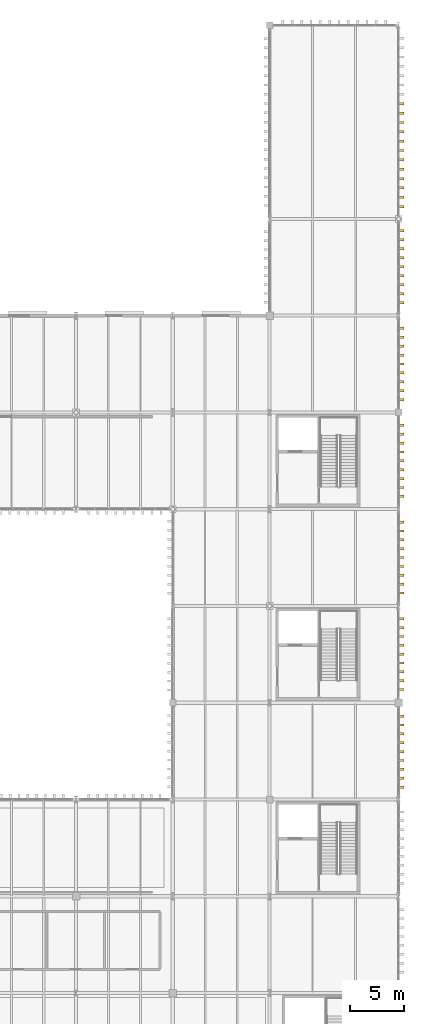
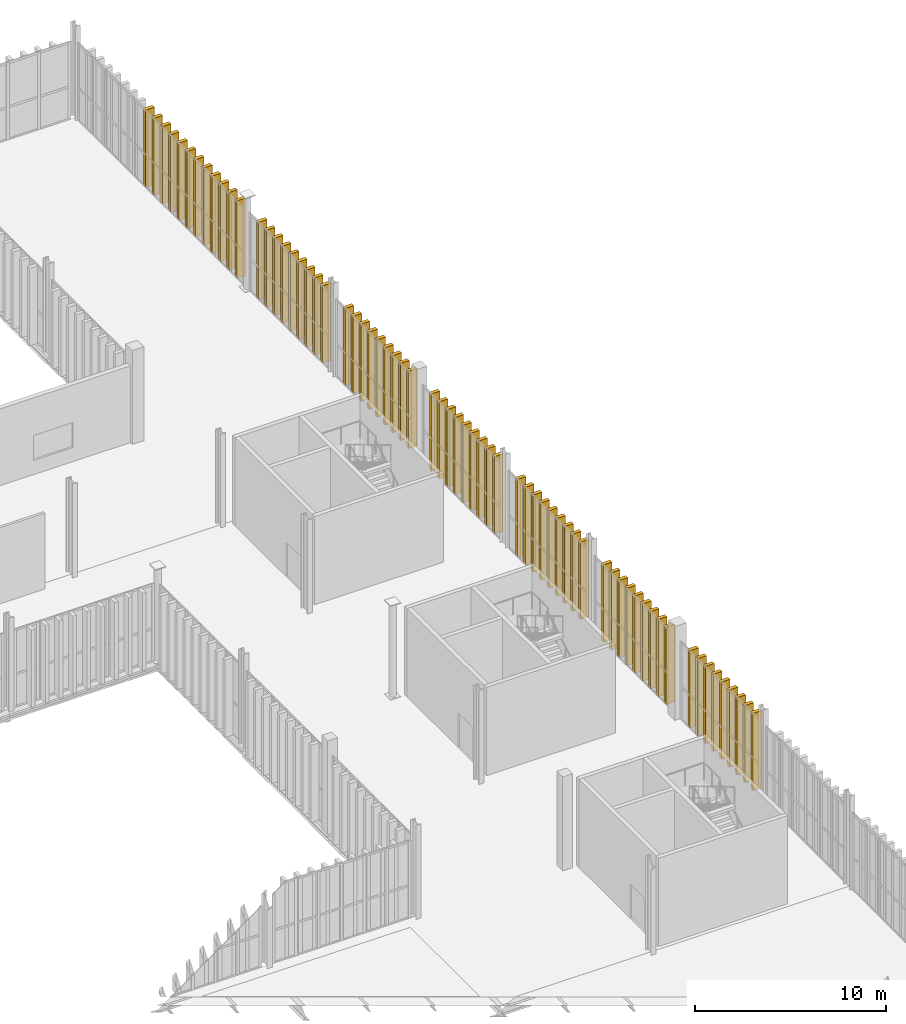
# One storey, part 209 of 211: 66 shading devices.
"""IFC4 building model written with IfcOpenShell, lengths in metres."""

from ifc_helpers import new_model, si_unit, direction, frame, origin, origin_2d, place, context, subcontext, project, spatial, rectangle, extrude, material, type_object, element, save


model = new_model("IFC4")

# Units and contexts
model_context = context("Model", 3, precision=1e-05, world=origin(), true_north=direction((0.0, 1.0)))
body_context = subcontext(model_context, "Body", "Model", "MODEL_VIEW")
ifc_project = project(units=[si_unit("LENGTHUNIT", "METRE"), si_unit("AREAUNIT", "SQUARE_METRE"), si_unit("VOLUMEUNIT", "CUBIC_METRE"), si_unit("PLANEANGLEUNIT", "RADIAN"), si_unit("MASSUNIT", "GRAM", prefix="KILO")], contexts=[model_context])

# Site, building, storey
site_placement = place(None, origin())
site = spatial("IfcSite", under=ifc_project, at=site_placement, CompositionType="ELEMENT")
building_placement = place(site_placement, origin())
building = spatial("IfcBuilding", under=site, at=building_placement, Name="Barlavento Convention Centre", CompositionType="ELEMENT")
storey_placement = place(building_placement, frame((0.0, 0.0, 6.0)))
storey = spatial("IfcBuildingStorey", under=building, at=storey_placement, Name="L01", CompositionType="ELEMENT", Elevation=6.0)

# Shading devices
ifc_material = material(Name="PVDF white extruded aluminium", Category="aluminium")
shading_device_type = type_object("IfcShadingDeviceType", Name="ARC-SHD-FIN-480", PredefinedType="USERDEFINED", material=ifc_material)
for number, where, z_axis, x_axis, name in (
    (1, (192.239990234375, 64.15673828125, 0.0), (0.0, 0.0, 1.0), (0.0, 1.0, 0.0), "White vertical solar shading fin VF01"),
    (2, (192.239990234375, 64.981689453125, 0.0), (0.0, 0.0, 1.0), (0.0, 1.0, 0.0), "White vertical solar shading fin VF01"),
    (3, (192.239990234375, 65.806396484375, 0.0), (0.0, 0.0, 1.0), (0.0, 1.0, 0.0), "White vertical solar shading fin VF01"),
    (4, (192.239990234375, 66.631103515625, 0.0), (0.0, 0.0, 1.0), (0.0, 1.0, 0.0), "White vertical solar shading fin VF01"),
    (5, (192.239990234375, 67.4560546875, 0.0), (0.0, 0.0, 1.0), (0.0, 1.0, 0.0), "White vertical solar shading fin VF01"),
    (6, (192.239990234375, 68.28076171875, 0.0), (0.0, 0.0, 1.0), (0.0, 1.0, 0.0), "White vertical solar shading fin VF01"),
    (7, (192.239990234375, 69.105712890625, 0.0), (0.0, 0.0, 1.0), (0.0, 1.0, 0.0), "White vertical solar shading fin VF01"),
    (8, (192.239990234375, 69.930419921875, 0.0), (0.0, 0.0, 1.0), (0.0, 1.0, 0.0), "White vertical solar shading fin VF01"),
    (9, (192.239990234375, 70.755126953125, 0.0), (0.0, 0.0, 1.0), (0.0, 1.0, 0.0), "White vertical solar shading fin VF01"),
    (10, (192.239990234375, 73.239990234375, 0.0), (0.0, 0.0, 1.0), (0.0, 1.0, 0.0), "White vertical solar shading fin VF01"),
    (11, (192.239990234375, 74.06005859375, 0.0), (0.0, 0.0, 1.0), (0.0, 1.0, 0.0), "White vertical solar shading fin VF01"),
    (12, (192.239990234375, 74.8798828125, 0.0), (0.0, 0.0, 1.0), (0.0, 1.0, 0.0), "White vertical solar shading fin VF01"),
    (13, (192.239990234375, 75.699951171875, 0.0), (0.0, 0.0, 1.0), (0.0, 1.0, 0.0), "White vertical solar shading fin VF01"),
    (14, (192.239990234375, 76.52001953125, 0.0), (0.0, 0.0, 1.0), (0.0, 1.0, 0.0), "White vertical solar shading fin VF01"),
    (15, (192.239990234375, 77.340087890625, 0.0), (0.0, 0.0, 1.0), (0.0, 1.0, 0.0), "White vertical solar shading fin VF01"),
    (16, (192.239990234375, 78.159912109375, 0.0), (0.0, 0.0, 1.0), (0.0, 1.0, 0.0), "White vertical solar shading fin VF01"),
    (17, (192.239990234375, 78.97998046875, 0.0), (0.0, 0.0, 1.0), (0.0, 1.0, 0.0), "White vertical solar shading fin VF01"),
    (18, (192.239990234375, 79.800048828125, 0.0), (0.0, 0.0, 1.0), (0.0, 1.0, 0.0), "White vertical solar shading fin VF01"),
    (19, (192.239990234375, 82.205078125, 0.0), (0.0, 0.0, 1.0), (0.0, 1.0, 0.0), "White vertical solar shading fin VF01"),
    (20, (192.239990234375, 83.030029296875, 0.0), (0.0, 0.0, 1.0), (0.0, 1.0, 0.0), "White vertical solar shading fin VF01"),
    (21, (192.239990234375, 83.85498046875, 0.0), (0.0, 0.0, 1.0), (0.0, 1.0, 0.0), "White vertical solar shading fin VF01"),
    (22, (192.239990234375, 84.679931640625, 0.0), (0.0, 0.0, 1.0), (0.0, 1.0, 0.0), "White vertical solar shading fin VF01"),
    (23, (192.239990234375, 85.5048828125, 0.0), (0.0, 0.0, 1.0), (0.0, 1.0, 0.0), "White vertical solar shading fin VF01"),
    (24, (192.239990234375, 86.330078125, 0.0), (0.0, 0.0, 1.0), (0.0, 1.0, 0.0), "White vertical solar shading fin VF01"),
    (25, (192.239990234375, 87.155029296875, 0.0), (0.0, 0.0, 1.0), (0.0, 1.0, 0.0), "White vertical solar shading fin VF01"),
    (26, (192.239990234375, 87.97998046875, 0.0), (0.0, 0.0, 1.0), (0.0, 1.0, 0.0), "White vertical solar shading fin VF01"),
    (27, (192.239990234375, 88.804931640625, 0.0), (0.0, 0.0, 1.0), (0.0, 1.0, 0.0), "White vertical solar shading fin VF01"),
    (28, (192.239990234375, 91.196044921875, 0.0), (0.0, 0.0, 1.0), (0.0, 1.0, 0.0), "White vertical solar shading fin VF01"),
    (29, (192.239990234375, 92.02197265625, 0.0), (0.0, 0.0, 1.0), (0.0, 1.0, 0.0), "White vertical solar shading fin VF01"),
    (30, (192.239990234375, 92.847900390625, 0.0), (0.0, 0.0, 1.0), (0.0, 1.0, 0.0), "White vertical solar shading fin VF01"),
    (31, (192.239990234375, 93.674072265625, 0.0), (0.0, 0.0, 1.0), (0.0, 1.0, 0.0), "White vertical solar shading fin VF01"),
    (32, (192.239990234375, 94.5, 0.0), (0.0, 0.0, 1.0), (0.0, 1.0, 0.0), "White vertical solar shading fin VF01"),
    (33, (192.239990234375, 95.325927734375, 0.0), (0.0, 0.0, 1.0), (0.0, 1.0, 0.0), "White vertical solar shading fin VF01"),
    (34, (192.239990234375, 96.152099609375, 0.0), (0.0, 0.0, 1.0), (0.0, 1.0, 0.0), "White vertical solar shading fin VF01"),
    (35, (192.239990234375, 96.97802734375, 0.0), (0.0, 0.0, 1.0), (0.0, 1.0, 0.0), "White vertical solar shading fin VF01"),
    (36, (192.239990234375, 97.803955078125, 0.0), (0.0, 0.0, 1.0), (0.0, 1.0, 0.0), "White vertical solar shading fin VF01"),
    (37, (192.239990234375, 100.197509765625, 0.0), (0.0, 0.0, 1.0), (0.0, 1.0, 0.0), "White vertical solar shading fin VF01"),
    (38, (192.239990234375, 101.02490234375, 0.0), (0.0, 0.0, 1.0), (0.0, 1.0, 0.0), "White vertical solar shading fin VF01"),
    (39, (192.239990234375, 101.852294921875, 0.0), (0.0, 0.0, 1.0), (0.0, 1.0, 0.0), "White vertical solar shading fin VF01"),
    (40, (192.239990234375, 102.6796875, 0.0), (0.0, 0.0, 1.0), (0.0, 1.0, 0.0), "White vertical solar shading fin VF01"),
    (41, (192.239990234375, 103.507080078125, 0.0), (0.0, 0.0, 1.0), (0.0, 1.0, 0.0), "White vertical solar shading fin VF01"),
    (42, (192.239990234375, 104.33447265625, 0.0), (0.0, 0.0, 1.0), (0.0, 1.0, 0.0), "White vertical solar shading fin VF01"),
    (43, (192.239990234375, 105.161865234375, 0.0), (0.0, 0.0, 1.0), (0.0, 1.0, 0.0), "White vertical solar shading fin VF01"),
    (44, (192.239990234375, 105.9892578125, 0.0), (0.0, 0.0, 1.0), (0.0, 1.0, 0.0), "White vertical solar shading fin VF01"),
    (45, (192.239990234375, 106.816650390625, 0.0), (0.0, 0.0, 1.0), (0.0, 1.0, 0.0), "White vertical solar shading fin VF01"),
    (46, (192.239990234375, 109.193115234375, 0.0), (0.0, 0.0, 1.0), (0.0, 1.0, 0.0), "White vertical solar shading fin VF01"),
    (47, (192.239990234375, 110.0302734375, 0.0), (0.0, 0.0, 1.0), (0.0, 1.0, 0.0), "White vertical solar shading fin VF01"),
    (48, (192.239990234375, 110.8671875, 0.0), (0.0, 0.0, 1.0), (0.0, 1.0, 0.0), "White vertical solar shading fin VF01"),
    (49, (192.239990234375, 111.704345703125, 0.0), (0.0, 0.0, 1.0), (0.0, 1.0, 0.0), "White vertical solar shading fin VF01"),
    (50, (192.239990234375, 112.54150390625, 0.0), (0.0, 0.0, 1.0), (0.0, 1.0, 0.0), "White vertical solar shading fin VF01"),
    (51, (192.239990234375, 113.37841796875, 0.0), (0.0, 0.0, 1.0), (0.0, 1.0, 0.0), "White vertical solar shading fin VF01"),
    (52, (192.239990234375, 114.215576171875, 0.0), (0.0, 0.0, 1.0), (0.0, 1.0, 0.0), "White vertical solar shading fin VF01"),
    (53, (192.239990234375, 115.052490234375, 0.0), (0.0, 0.0, 1.0), (0.0, 1.0, 0.0), "White vertical solar shading fin VF01"),
    (54, (192.239990234375, 115.8896484375, 0.0), (0.0, 0.0, 1.0), (0.0, 1.0, 0.0), "White vertical solar shading fin VF01"),
    (55, (192.239990234375, 118.142822265625, 0.0), (0.0, 0.0, 1.0), (0.0, 1.0, 0.0), "White vertical solar shading fin VF01"),
    (56, (192.239990234375, 119.0126953125, 0.0), (0.0, 0.0, 1.0), (0.0, 1.0, 0.0), "White vertical solar shading fin VF01"),
    (57, (192.239990234375, 119.88232421875, 0.0), (0.0, 0.0, 1.0), (0.0, 1.0, 0.0), "White vertical solar shading fin VF01"),
    (58, (192.239990234375, 120.752197265625, 0.0), (0.0, 0.0, 1.0), (0.0, 1.0, 0.0), "White vertical solar shading fin VF01"),
    (59, (192.239990234375, 121.621826171875, 0.0), (0.0, 0.0, 1.0), (0.0, 1.0, 0.0), "White vertical solar shading fin VF01"),
    (60, (192.239990234375, 122.49169921875, 0.0), (0.0, 0.0, 1.0), (0.0, 1.0, 0.0), "White vertical solar shading fin VF01"),
    (61, (192.239990234375, 123.361328125, 0.0), (0.0, 0.0, 1.0), (0.0, 1.0, 0.0), "White vertical solar shading fin VF01"),
    (62, (192.239990234375, 124.231201171875, 0.0), (0.0, 0.0, 1.0), (0.0, 1.0, 0.0), "White vertical solar shading fin VF01"),
    (63, (192.239990234375, 125.100830078125, 0.0), (0.0, 0.0, 1.0), (0.0, 1.0, 0.0), "White vertical solar shading fin VF01"),
    (64, (192.239990234375, 125.970703125, 0.0), (0.0, 0.0, 1.0), (0.0, 1.0, 0.0), "White vertical solar shading fin VF01"),
    (65, (192.239990234375, 126.84033203125, 0.0), (0.0, 0.0, 1.0), (0.0, 1.0, 0.0), "White vertical solar shading fin VF01"),
    (66, (192.239990234375, 127.710205078125, 0.0), (0.0, 0.0, 1.0), (0.0, 1.0, 0.0), "White vertical solar shading fin VF01"),
):
    element("IfcShadingDevice", number, at=place(storey_placement, frame(where, z_axis=z_axis, x_axis=x_axis)), inside=storey, type_object=shading_device_type, Name=name, ObjectType="FIN", PredefinedType="USERDEFINED", context=body_context, shape_type="SweptSolid", body=[
        extrude(rectangle(XDim=0.219970703125, YDim=0.52001953125, at=origin_2d()), origin(), (0.0, 0.0, 1.0), 4.949951171875),
    ])

save(model, "model.ifc")
